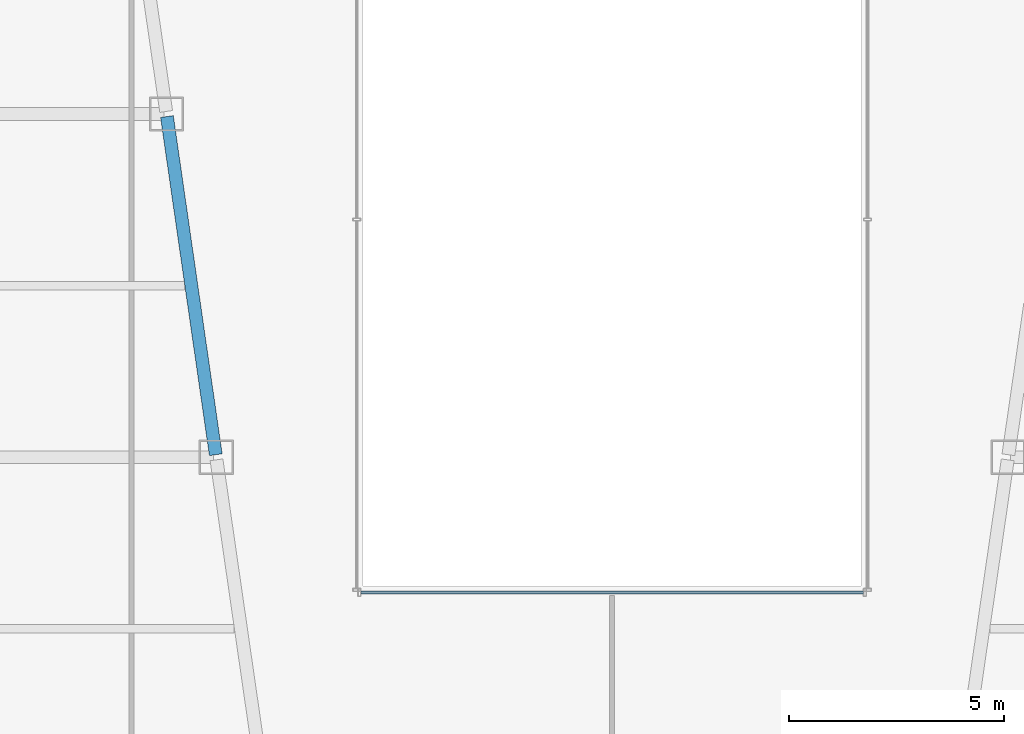
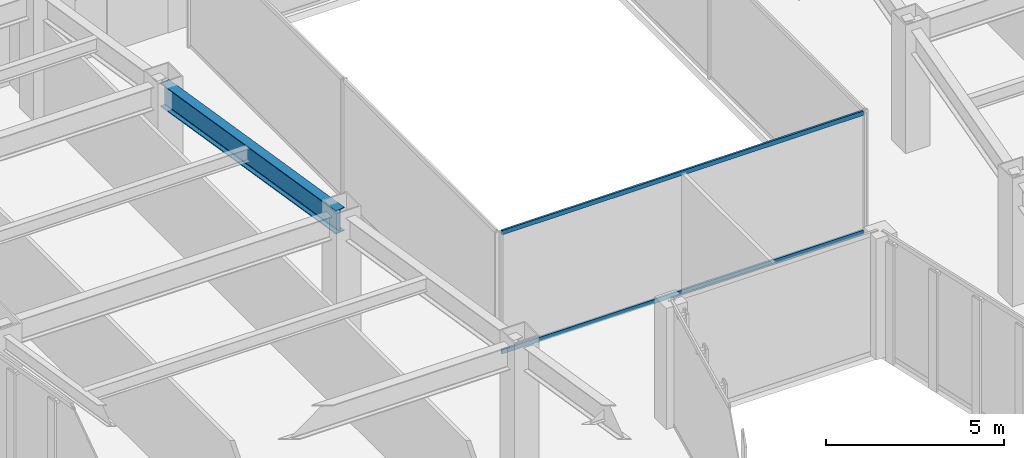
# One storey, part 13 of 47: 2 members, 1 beam, 1 element without a shape of its own.
"""IFC4 building model written with IfcOpenShell, lengths in metres."""

from ifc_helpers import new_model, si_unit, direction, frame, origin, origin_2d, place, context, subcontext, project, spatial, hollow_rectangle, i_section, extrude, material, material_profile, profile_set, type_object, element, aggregate, save


model = new_model("IFC4")

# Units and contexts
model_context = context("Model", 3, precision=1e-05, world=origin(), true_north=direction((0.0, 1.0)))
body_context = subcontext(model_context, "Body", "Model", "MODEL_VIEW")
ifc_project = project(units=[si_unit("LENGTHUNIT", "METRE"), si_unit("AREAUNIT", "SQUARE_METRE"), si_unit("VOLUMEUNIT", "CUBIC_METRE"), si_unit("PLANEANGLEUNIT", "RADIAN"), si_unit("MASSUNIT", "GRAM", prefix="KILO")], contexts=[model_context])

# Site, building, storey
site_placement = place(None, origin())
site = spatial("IfcSite", under=ifc_project, at=site_placement, CompositionType="ELEMENT")
building_placement = place(site_placement, origin())
building = spatial("IfcBuilding", under=site, at=building_placement, Name="Saevonmaru Cultural Tower", CompositionType="ELEMENT")
storey_placement = place(building_placement, frame((0.0, 0.0, 42.800048828125)))
storey = spatial("IfcBuildingStorey", under=building, at=storey_placement, Name="L08", CompositionType="ELEMENT", Elevation=42.800048828125)

# Beam
ifc_material_1 = material(Name="Steel SM420", Category="steel")
ifc_material_profile_1 = material_profile(ifc_material_1, i_section(OverallWidth=0.300048828125, OverallDepth=0.800048828125, WebThickness=0.013916015625, FlangeThickness=0.02587890625, FilletRadius=0.028076171875, at=origin_2d()), Name="H-800x300x14x26")
ifc_profile_set_1 = profile_set([ifc_material_profile_1], Name="Steel SM420")
beam_type = type_object("IfcBeamType", Name="BM-G-H800", PredefinedType="BEAM", material=ifc_profile_set_1)
beam_placement = place(storey_placement, frame((20.763427734375, 24.059326171875, 3.75), z_axis=(-0.142902032203, 0.989736838353, 0.0), x_axis=(-0.989736838353, -0.142902032203, 0.0)))
element("IfcBeam", 1, at=beam_placement, inside=storey, type_object=beam_type, Name="L08 West Atrium Girder 4", PredefinedType="BEAM", context=body_context, shape_type="SweptSolid", body=[
    extrude(i_section(OverallWidth=0.300048828125, OverallDepth=0.800048828125, WebThickness=0.013916015625, FlangeThickness=0.02587890625, FilletRadius=0.028076171875, at=origin_2d()), origin(), (0.0, 0.0, 1.0), 7.963134765625),
])

# Curtain wall, members
ifc_material_2 = material(Name="Satin Bronze Anodised Aluminium", Category="aluminium")
curtain_wall_type = type_object("IfcCurtainWallType", Name="CW-ATR-GLZ", PredefinedType="NOTDEFINED", material=ifc_material_2)
curtain_wall_placement = place(storey_placement, origin())
curtain_wall = element("IfcCurtainWall", 2, at=curtain_wall_placement, inside=storey, type_object=curtain_wall_type, Name="L08 Vertical Atrium Glazed Smoke Screen 1", PredefinedType="NOTDEFINED")
ifc_material_profile_2 = material_profile(ifc_material_2, hollow_rectangle(XDim=0.06494140625, YDim=0.14990234375, WallThickness=0.00390625, at=origin_2d()), Name="ALU-TRAN-150x65x4")
ifc_profile_set_2 = profile_set([ifc_material_profile_2], Name="Satin Bronze Anodised Aluminium")
member_type = type_object("IfcMemberType", Name="TR-CW-INT-150x65", PredefinedType="USERDEFINED", material=ifc_profile_set_2)
member_1_placement = place(storey_placement, frame((24.142578125, 20.85009765625, 0.032470703125), z_axis=(1.0, 0.0, 0.0), x_axis=(0.0, 1.0, 0.0)))
member_1 = element("IfcMember", 3, at=member_1_placement, type_object=member_type, Name="CW-ATR-L08-1 transom 1.1", ObjectType="TRANSOM", PredefinedType="USERDEFINED", context=body_context, shape_type="SweptSolid", body=[
    extrude(hollow_rectangle(XDim=0.06494140625, YDim=0.14990234375, WallThickness=0.00390625, at=origin_2d()), origin(), (0.0, 0.0, 1.0), 11.71484375),
])
member_2_placement = place(storey_placement, frame((24.142578125, 20.85009765625, 4.117431640625), z_axis=(1.0, 0.0, 0.0), x_axis=(0.0, 1.0, 0.0)))
member_2 = element("IfcMember", 4, at=member_2_placement, type_object=member_type, Name="CW-ATR-L08-1 transom 1.2", ObjectType="TRANSOM", PredefinedType="USERDEFINED", context=body_context, shape_type="SweptSolid", body=[
    extrude(hollow_rectangle(XDim=0.06494140625, YDim=0.14990234375, WallThickness=0.00390625, at=origin_2d()), origin(), (0.0, 0.0, 1.0), 11.71484375),
])
aggregate(curtain_wall, [member_1, member_2])

save(model, "model.ifc")
